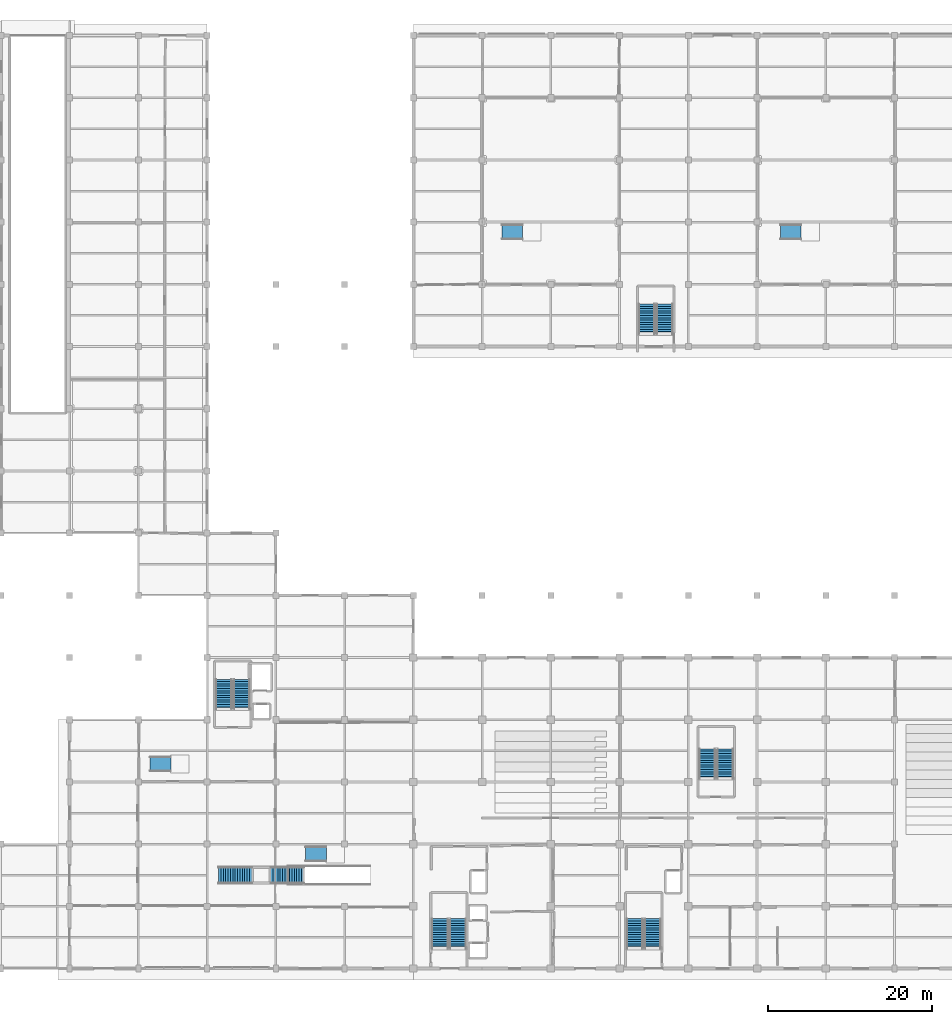
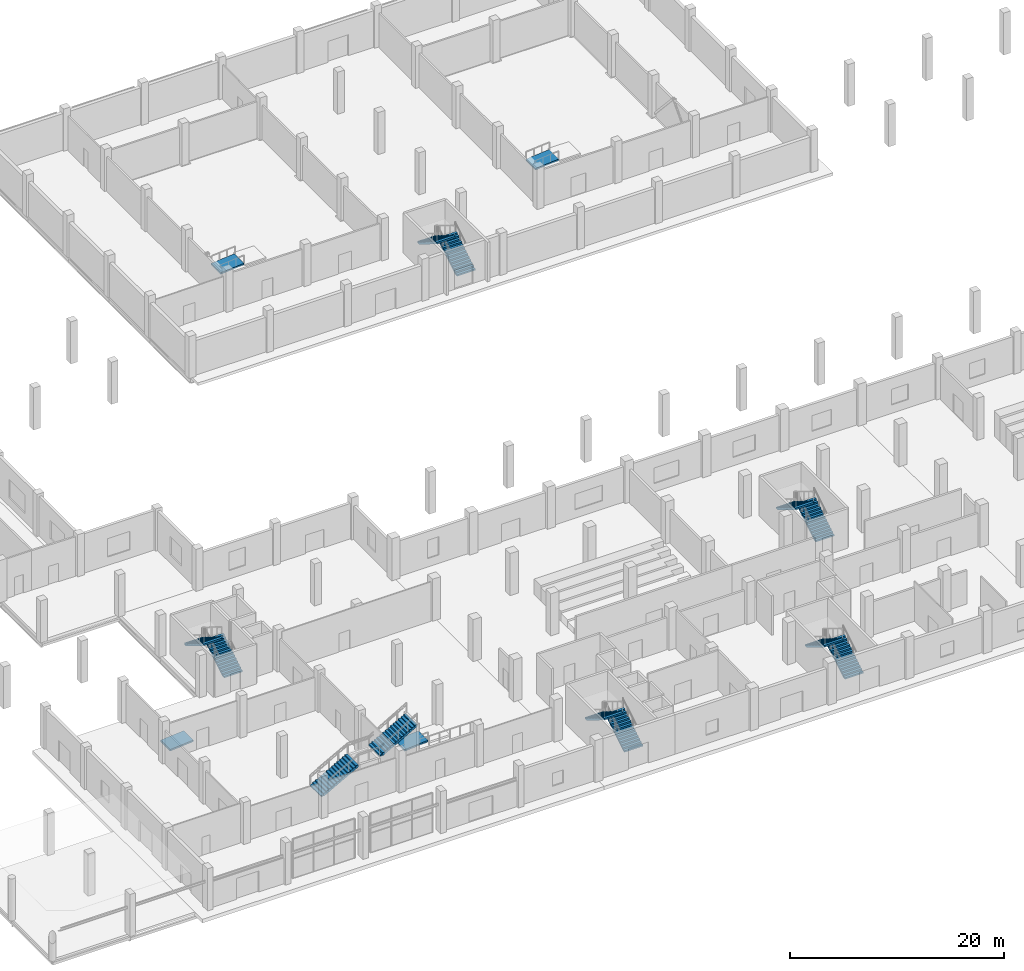
# One storey, part 25 of 36: 12 stair flights, 4 ramp flights, 10 elements without a shape of their own.
"""IFC4 building model written with IfcOpenShell, lengths in metres."""

from ifc_helpers import new_model, si_unit, direction, frame, origin, place, context, subcontext, project, spatial, polyline, outline, extrude, material, layer, layer_set, type_object, element, aggregate, save


model = new_model("IFC4")

# Units and contexts
model_context = context("Model", 3, precision=1e-05, world=origin(), true_north=direction((0.0, 1.0)))
body_context = subcontext(model_context, "Body", "Model", "MODEL_VIEW")
ifc_project = project(units=[si_unit("LENGTHUNIT", "METRE"), si_unit("AREAUNIT", "SQUARE_METRE"), si_unit("VOLUMEUNIT", "CUBIC_METRE"), si_unit("PLANEANGLEUNIT", "RADIAN"), si_unit("MASSUNIT", "GRAM", prefix="KILO")], contexts=[model_context])

# Site, building, storey
site_placement = place(None, origin())
site = spatial("IfcSite", under=ifc_project, at=site_placement, CompositionType="ELEMENT")
building_placement = place(site_placement, origin())
building = spatial("IfcBuilding", under=site, at=building_placement, Name="Zuvorla Pavilion Media Centre", CompositionType="ELEMENT")
storey_placement = place(building_placement, origin())
storey = spatial("IfcBuildingStorey", under=building, at=storey_placement, Name="L00", CompositionType="ELEMENT", Elevation=0.0)

# Stair, stair flights
ifc_material_1 = material(Name="Concrete C40/50", Category="concrete")
stair_type_1 = type_object("IfcStairType", Name="STR-DOG-480", PredefinedType="TWO_STRAIGHT_RUN_STAIR", material=ifc_material_1)
stair_1_placement = place(storey_placement, origin())
stair_1 = element("IfcStair", 1, at=stair_1_placement, inside=storey, type_object=stair_type_1, Name="L00 exit stair ST-01", PredefinedType="TWO_STRAIGHT_RUN_STAIR")
stair_flight_type_1 = type_object("IfcStairFlightType", Name="FLT-DOG-480", PredefinedType="STRAIGHT", material=ifc_material_1)
stair_flight_1_placement = place(storey_placement, frame((72.25, 8.449951171875, 0.0), z_axis=(0.0, 0.0, 1.0), x_axis=(0.0, 1.0, 0.0)))
stair_flight_1 = element("IfcStairFlight", 2, at=stair_flight_1_placement, type_object=stair_flight_type_1, Name="ST-01 flight 1", NumberOfRisers=14, NumberOfTreads=13, PredefinedType="STRAIGHT", RiserHeight=0.171428571, TreadLength=0.28, context=body_context, shape_type="SweptSolid", body=[
    extrude(outline(polyline([(0.0, 0.0), (0.0, 0.17138671875), (0.280029296875, 0.17138671875), (0.280029296875, 0.3427734375), (0.56005859375, 0.3427734375), (0.56005859375, 0.514404296875), (0.840087890625, 0.514404296875), (0.840087890625, 0.685791015625), (1.1201171875, 0.685791015625), (1.1201171875, 0.857177734375), (1.39990234375, 0.857177734375), (1.39990234375, 1.028564453125), (1.679931640625, 1.028564453125), (1.679931640625, 1.199951171875), (1.9599609375, 1.199951171875), (1.9599609375, 1.371337890625), (2.239990234375, 1.371337890625), (2.239990234375, 1.54296875), (2.52001953125, 1.54296875), (2.52001953125, 1.71435546875), (2.800048828125, 1.71435546875), (2.800048828125, 1.8857421875), (3.080078125, 1.8857421875), (3.080078125, 2.05712890625), (3.360107421875, 2.05712890625), (3.360107421875, 2.228515625), (3.639892578125, 2.228515625), (3.639892578125, 2.39990234375), (3.639892578125, 2.041015625), (0.30615234375, 0.0), (0.0, 0.0)])), frame((0.0, 1.0, 0.0), z_axis=(0.0, -1.0, 0.0), x_axis=(1.0, 0.0, 0.0)), (0.0, 0.0, 1.0), 2.0),
])
stair_flight_2_placement = place(storey_placement, frame((70.050048828125, 12.090087890625, 2.39990234375), z_axis=(0.0, 0.0, 1.0), x_axis=(0.0, -1.0, 0.0)))
stair_flight_2 = element("IfcStairFlight", 3, at=stair_flight_2_placement, type_object=stair_flight_type_1, Name="ST-01 flight 2", NumberOfRisers=14, NumberOfTreads=13, PredefinedType="STRAIGHT", RiserHeight=0.171428571, TreadLength=0.28, context=body_context, shape_type="SweptSolid", body=[
    extrude(outline(polyline([(0.0, 0.0), (0.0, 0.17138671875), (0.280029296875, 0.17138671875), (0.280029296875, 0.3427734375), (0.56005859375, 0.3427734375), (0.56005859375, 0.514404296875), (0.840087890625, 0.514404296875), (0.840087890625, 0.685791015625), (1.1201171875, 0.685791015625), (1.1201171875, 0.857177734375), (1.39990234375, 0.857177734375), (1.39990234375, 1.028564453125), (1.679931640625, 1.028564453125), (1.679931640625, 1.199951171875), (1.9599609375, 1.199951171875), (1.9599609375, 1.371337890625), (2.239990234375, 1.371337890625), (2.239990234375, 1.54296875), (2.52001953125, 1.54296875), (2.52001953125, 1.71435546875), (2.800048828125, 1.71435546875), (2.800048828125, 1.8857421875), (3.080078125, 1.8857421875), (3.080078125, 2.05712890625), (3.360107421875, 2.05712890625), (3.360107421875, 2.228515625), (3.639892578125, 2.228515625), (3.639892578125, 2.39990234375), (3.639892578125, 2.041015625), (0.30615234375, 0.0), (0.0, 0.0)])), frame((0.0, 1.0, 0.0), z_axis=(0.0, -1.0, 0.0), x_axis=(1.0, 0.0, 0.0)), (0.0, 0.0, 1.0), 2.0),
])
aggregate(stair_1, [stair_flight_1, stair_flight_2])

stair_2_placement = place(storey_placement, origin())
stair_2 = element("IfcStair", 4, at=stair_2_placement, inside=storey, type_object=stair_type_1, Name="L00 exit stair ST-02", PredefinedType="TWO_STRAIGHT_RUN_STAIR")
stair_flight_3_placement = place(storey_placement, frame((96.050048828125, 8.449951171875, 0.0), z_axis=(0.0, 0.0, 1.0), x_axis=(0.0, 1.0, 0.0)))
stair_flight_3 = element("IfcStairFlight", 5, at=stair_flight_3_placement, type_object=stair_flight_type_1, Name="ST-02 flight 1", NumberOfRisers=14, NumberOfTreads=13, PredefinedType="STRAIGHT", RiserHeight=0.171428571, TreadLength=0.28, context=body_context, shape_type="SweptSolid", body=[
    extrude(outline(polyline([(0.0, 0.0), (0.0, 0.17138671875), (0.280029296875, 0.17138671875), (0.280029296875, 0.3427734375), (0.56005859375, 0.3427734375), (0.56005859375, 0.514404296875), (0.840087890625, 0.514404296875), (0.840087890625, 0.685791015625), (1.1201171875, 0.685791015625), (1.1201171875, 0.857177734375), (1.39990234375, 0.857177734375), (1.39990234375, 1.028564453125), (1.679931640625, 1.028564453125), (1.679931640625, 1.199951171875), (1.9599609375, 1.199951171875), (1.9599609375, 1.371337890625), (2.239990234375, 1.371337890625), (2.239990234375, 1.54296875), (2.52001953125, 1.54296875), (2.52001953125, 1.71435546875), (2.800048828125, 1.71435546875), (2.800048828125, 1.8857421875), (3.080078125, 1.8857421875), (3.080078125, 2.05712890625), (3.360107421875, 2.05712890625), (3.360107421875, 2.228515625), (3.639892578125, 2.228515625), (3.639892578125, 2.39990234375), (3.639892578125, 2.041015625), (0.30615234375, 0.0), (0.0, 0.0)])), frame((0.0, 1.0, 0.0), z_axis=(0.0, -1.0, 0.0), x_axis=(1.0, 0.0, 0.0)), (0.0, 0.0, 1.0), 2.0),
])
stair_flight_4_placement = place(storey_placement, frame((93.85009765625, 12.090087890625, 2.39990234375), z_axis=(0.0, 0.0, 1.0), x_axis=(0.0, -1.0, 0.0)))
stair_flight_4 = element("IfcStairFlight", 6, at=stair_flight_4_placement, type_object=stair_flight_type_1, Name="ST-02 flight 2", NumberOfRisers=14, NumberOfTreads=13, PredefinedType="STRAIGHT", RiserHeight=0.171428571, TreadLength=0.28, context=body_context, shape_type="SweptSolid", body=[
    extrude(outline(polyline([(0.0, 0.0), (0.0, 0.17138671875), (0.280029296875, 0.17138671875), (0.280029296875, 0.3427734375), (0.56005859375, 0.3427734375), (0.56005859375, 0.514404296875), (0.840087890625, 0.514404296875), (0.840087890625, 0.685791015625), (1.1201171875, 0.685791015625), (1.1201171875, 0.857177734375), (1.39990234375, 0.857177734375), (1.39990234375, 1.028564453125), (1.679931640625, 1.028564453125), (1.679931640625, 1.199951171875), (1.9599609375, 1.199951171875), (1.9599609375, 1.371337890625), (2.239990234375, 1.371337890625), (2.239990234375, 1.54296875), (2.52001953125, 1.54296875), (2.52001953125, 1.71435546875), (2.800048828125, 1.71435546875), (2.800048828125, 1.8857421875), (3.080078125, 1.8857421875), (3.080078125, 2.05712890625), (3.360107421875, 2.05712890625), (3.360107421875, 2.228515625), (3.639892578125, 2.228515625), (3.639892578125, 2.39990234375), (3.639892578125, 2.041015625), (0.30615234375, 0.0), (0.0, 0.0)])), frame((0.0, 1.0, 0.0), z_axis=(0.0, -1.0, 0.0), x_axis=(1.0, 0.0, 0.0)), (0.0, 0.0, 1.0), 2.0),
])
aggregate(stair_2, [stair_flight_3, stair_flight_4])

stair_3_placement = place(storey_placement, origin())
stair_3 = element("IfcStair", 7, at=stair_3_placement, inside=storey, type_object=stair_type_1, Name="L00 exit stair ST-03", PredefinedType="TWO_STRAIGHT_RUN_STAIR")
stair_flight_5_placement = place(storey_placement, frame((45.85009765625, 37.699951171875, 0.0), z_axis=(0.0, 0.0, 1.0), x_axis=(0.0, 1.0, 0.0)))
stair_flight_5 = element("IfcStairFlight", 8, at=stair_flight_5_placement, type_object=stair_flight_type_1, Name="ST-03 flight 1", NumberOfRisers=14, NumberOfTreads=13, PredefinedType="STRAIGHT", RiserHeight=0.171428571, TreadLength=0.28, context=body_context, shape_type="SweptSolid", body=[
    extrude(outline(polyline([(0.0, 0.0), (0.0, 0.17138671875), (0.280029296875, 0.17138671875), (0.280029296875, 0.3427734375), (0.56005859375, 0.3427734375), (0.56005859375, 0.514404296875), (0.840087890625, 0.514404296875), (0.840087890625, 0.685791015625), (1.1201171875, 0.685791015625), (1.1201171875, 0.857177734375), (1.39990234375, 0.857177734375), (1.39990234375, 1.028564453125), (1.679931640625, 1.028564453125), (1.679931640625, 1.199951171875), (1.9599609375, 1.199951171875), (1.9599609375, 1.371337890625), (2.239990234375, 1.371337890625), (2.239990234375, 1.54296875), (2.52001953125, 1.54296875), (2.52001953125, 1.71435546875), (2.800048828125, 1.71435546875), (2.800048828125, 1.8857421875), (3.080078125, 1.8857421875), (3.080078125, 2.05712890625), (3.360107421875, 2.05712890625), (3.360107421875, 2.228515625), (3.639892578125, 2.228515625), (3.639892578125, 2.39990234375), (3.639892578125, 2.041015625), (0.30615234375, 0.0), (0.0, 0.0)])), frame((0.0, 1.0, 0.0), z_axis=(0.0, -1.0, 0.0), x_axis=(1.0, 0.0, 0.0)), (0.0, 0.0, 1.0), 2.0),
])
stair_flight_6_placement = place(storey_placement, frame((43.64990234375, 41.340087890625, 2.39990234375), z_axis=(0.0, 0.0, 1.0), x_axis=(0.0, -1.0, 0.0)))
stair_flight_6 = element("IfcStairFlight", 9, at=stair_flight_6_placement, type_object=stair_flight_type_1, Name="ST-03 flight 2", NumberOfRisers=14, NumberOfTreads=13, PredefinedType="STRAIGHT", RiserHeight=0.171428571, TreadLength=0.28, context=body_context, shape_type="SweptSolid", body=[
    extrude(outline(polyline([(0.0, 0.0), (0.0, 0.17138671875), (0.280029296875, 0.17138671875), (0.280029296875, 0.3427734375), (0.56005859375, 0.3427734375), (0.56005859375, 0.514404296875), (0.840087890625, 0.514404296875), (0.840087890625, 0.685791015625), (1.1201171875, 0.685791015625), (1.1201171875, 0.857177734375), (1.39990234375, 0.857177734375), (1.39990234375, 1.028564453125), (1.679931640625, 1.028564453125), (1.679931640625, 1.199951171875), (1.9599609375, 1.199951171875), (1.9599609375, 1.371337890625), (2.239990234375, 1.371337890625), (2.239990234375, 1.54296875), (2.52001953125, 1.54296875), (2.52001953125, 1.71435546875), (2.800048828125, 1.71435546875), (2.800048828125, 1.8857421875), (3.080078125, 1.8857421875), (3.080078125, 2.05712890625), (3.360107421875, 2.05712890625), (3.360107421875, 2.228515625), (3.639892578125, 2.228515625), (3.639892578125, 2.39990234375), (3.639892578125, 2.041015625), (0.30615234375, 0.0), (0.0, 0.0)])), frame((0.0, 1.0, 0.0), z_axis=(0.0, -1.0, 0.0), x_axis=(1.0, 0.0, 0.0)), (0.0, 0.0, 1.0), 2.0),
])
aggregate(stair_3, [stair_flight_5, stair_flight_6])

stair_4_placement = place(storey_placement, origin())
stair_4 = element("IfcStair", 10, at=stair_4_placement, inside=storey, type_object=stair_type_1, Name="L00 exit stair ST-04", PredefinedType="TWO_STRAIGHT_RUN_STAIR")
stair_flight_7_placement = place(storey_placement, frame((104.89990234375, 29.199951171875, 0.0), z_axis=(0.0, 0.0, 1.0), x_axis=(0.0, 1.0, 0.0)))
stair_flight_7 = element("IfcStairFlight", 11, at=stair_flight_7_placement, type_object=stair_flight_type_1, Name="ST-04 flight 1", NumberOfRisers=14, NumberOfTreads=13, PredefinedType="STRAIGHT", RiserHeight=0.171428571, TreadLength=0.28, context=body_context, shape_type="SweptSolid", body=[
    extrude(outline(polyline([(0.0, 0.0), (0.0, 0.17138671875), (0.280029296875, 0.17138671875), (0.280029296875, 0.3427734375), (0.56005859375, 0.3427734375), (0.56005859375, 0.514404296875), (0.840087890625, 0.514404296875), (0.840087890625, 0.685791015625), (1.1201171875, 0.685791015625), (1.1201171875, 0.857177734375), (1.39990234375, 0.857177734375), (1.39990234375, 1.028564453125), (1.679931640625, 1.028564453125), (1.679931640625, 1.199951171875), (1.9599609375, 1.199951171875), (1.9599609375, 1.371337890625), (2.239990234375, 1.371337890625), (2.239990234375, 1.54296875), (2.52001953125, 1.54296875), (2.52001953125, 1.71435546875), (2.800048828125, 1.71435546875), (2.800048828125, 1.8857421875), (3.080078125, 1.8857421875), (3.080078125, 2.05712890625), (3.360107421875, 2.05712890625), (3.360107421875, 2.228515625), (3.639892578125, 2.228515625), (3.639892578125, 2.39990234375), (3.639892578125, 2.041015625), (0.30615234375, 0.0), (0.0, 0.0)])), frame((0.0, 1.0, 0.0), z_axis=(0.0, -1.0, 0.0), x_axis=(1.0, 0.0, 0.0)), (0.0, 0.0, 1.0), 2.0),
])
stair_flight_8_placement = place(storey_placement, frame((102.699951171875, 32.840087890625, 2.39990234375), z_axis=(0.0, 0.0, 1.0), x_axis=(0.0, -1.0, 0.0)))
stair_flight_8 = element("IfcStairFlight", 12, at=stair_flight_8_placement, type_object=stair_flight_type_1, Name="ST-04 flight 2", NumberOfRisers=14, NumberOfTreads=13, PredefinedType="STRAIGHT", RiserHeight=0.171428571, TreadLength=0.28, context=body_context, shape_type="SweptSolid", body=[
    extrude(outline(polyline([(0.0, 0.0), (0.0, 0.17138671875), (0.280029296875, 0.17138671875), (0.280029296875, 0.3427734375), (0.56005859375, 0.3427734375), (0.56005859375, 0.514404296875), (0.840087890625, 0.514404296875), (0.840087890625, 0.685791015625), (1.1201171875, 0.685791015625), (1.1201171875, 0.857177734375), (1.39990234375, 0.857177734375), (1.39990234375, 1.028564453125), (1.679931640625, 1.028564453125), (1.679931640625, 1.199951171875), (1.9599609375, 1.199951171875), (1.9599609375, 1.371337890625), (2.239990234375, 1.371337890625), (2.239990234375, 1.54296875), (2.52001953125, 1.54296875), (2.52001953125, 1.71435546875), (2.800048828125, 1.71435546875), (2.800048828125, 1.8857421875), (3.080078125, 1.8857421875), (3.080078125, 2.05712890625), (3.360107421875, 2.05712890625), (3.360107421875, 2.228515625), (3.639892578125, 2.228515625), (3.639892578125, 2.39990234375), (3.639892578125, 2.041015625), (0.30615234375, 0.0), (0.0, 0.0)])), frame((0.0, 1.0, 0.0), z_axis=(0.0, -1.0, 0.0), x_axis=(1.0, 0.0, 0.0)), (0.0, 0.0, 1.0), 2.0),
])
aggregate(stair_4, [stair_flight_7, stair_flight_8])

stair_5_placement = place(storey_placement, origin())
stair_5 = element("IfcStair", 13, at=stair_5_placement, inside=storey, type_object=stair_type_1, Name="L00 exit stair ST-05", PredefinedType="TWO_STRAIGHT_RUN_STAIR")
stair_flight_9_placement = place(storey_placement, frame((97.5, 83.550048828125, 0.0), z_axis=(0.0, 0.0, 1.0), x_axis=(0.0, 1.0, 0.0)))
stair_flight_9 = element("IfcStairFlight", 14, at=stair_flight_9_placement, type_object=stair_flight_type_1, Name="ST-05 flight 1", NumberOfRisers=14, NumberOfTreads=13, PredefinedType="STRAIGHT", RiserHeight=0.171428571, TreadLength=0.28, context=body_context, shape_type="SweptSolid", body=[
    extrude(outline(polyline([(0.0, 0.0), (0.0, 0.17138671875), (0.280029296875, 0.17138671875), (0.280029296875, 0.3427734375), (0.56005859375, 0.3427734375), (0.56005859375, 0.514404296875), (0.840087890625, 0.514404296875), (0.840087890625, 0.685791015625), (1.1201171875, 0.685791015625), (1.1201171875, 0.857177734375), (1.39990234375, 0.857177734375), (1.39990234375, 1.028564453125), (1.679931640625, 1.028564453125), (1.679931640625, 1.199951171875), (1.9599609375, 1.199951171875), (1.9599609375, 1.371337890625), (2.239990234375, 1.371337890625), (2.239990234375, 1.54296875), (2.52001953125, 1.54296875), (2.52001953125, 1.71435546875), (2.800048828125, 1.71435546875), (2.800048828125, 1.8857421875), (3.080078125, 1.8857421875), (3.080078125, 2.05712890625), (3.360107421875, 2.05712890625), (3.360107421875, 2.228515625), (3.639892578125, 2.228515625), (3.639892578125, 2.39990234375), (3.639892578125, 2.041015625), (0.30615234375, 0.0), (0.0, 0.0)])), frame((0.0, 1.0, 0.0), z_axis=(0.0, -1.0, 0.0), x_axis=(1.0, 0.0, 0.0)), (0.0, 0.0, 1.0), 2.0),
])
stair_flight_10_placement = place(storey_placement, frame((95.300048828125, 87.18994140625, 2.39990234375), z_axis=(0.0, 0.0, 1.0), x_axis=(0.0, -1.0, 0.0)))
stair_flight_10 = element("IfcStairFlight", 15, at=stair_flight_10_placement, type_object=stair_flight_type_1, Name="ST-05 flight 2", NumberOfRisers=14, NumberOfTreads=13, PredefinedType="STRAIGHT", RiserHeight=0.171428571, TreadLength=0.28, context=body_context, shape_type="SweptSolid", body=[
    extrude(outline(polyline([(0.0, 0.0), (0.0, 0.17138671875), (0.280029296875, 0.17138671875), (0.280029296875, 0.3427734375), (0.56005859375, 0.3427734375), (0.56005859375, 0.514404296875), (0.840087890625, 0.514404296875), (0.840087890625, 0.685791015625), (1.1201171875, 0.685791015625), (1.1201171875, 0.857177734375), (1.39990234375, 0.857177734375), (1.39990234375, 1.028564453125), (1.679931640625, 1.028564453125), (1.679931640625, 1.199951171875), (1.9599609375, 1.199951171875), (1.9599609375, 1.371337890625), (2.239990234375, 1.371337890625), (2.239990234375, 1.54296875), (2.52001953125, 1.54296875), (2.52001953125, 1.71435546875), (2.800048828125, 1.71435546875), (2.800048828125, 1.8857421875), (3.080078125, 1.8857421875), (3.080078125, 2.05712890625), (3.360107421875, 2.05712890625), (3.360107421875, 2.228515625), (3.639892578125, 2.228515625), (3.639892578125, 2.39990234375), (3.639892578125, 2.041015625), (0.30615234375, 0.0), (0.0, 0.0)])), frame((0.0, 1.0, 0.0), z_axis=(0.0, -1.0, 0.0), x_axis=(1.0, 0.0, 0.0)), (0.0, 0.0, 1.0), 2.0),
])
aggregate(stair_5, [stair_flight_9, stair_flight_10])

ifc_material_2 = material(Name="Precast concrete C40/50", Category="concrete")
stair_type_2 = type_object("IfcStairType", Name="STR-FEA-07", PredefinedType="STRAIGHT_RUN_STAIR", material=ifc_material_2)
stair_6_placement = place(storey_placement, origin())
stair_6 = element("IfcStair", 16, at=stair_6_placement, inside=storey, type_object=stair_type_2, Name="L00 feature stair ST-07", PredefinedType="STRAIGHT_RUN_STAIR")
stair_flight_type_2 = type_object("IfcStairFlightType", Name="FLT-FEA-07", PredefinedType="STRAIGHT", material=ifc_material_2)
stair_flight_11_placement = place(storey_placement, frame((43.0, 17.39990234375, 0.0), z_axis=(0.0, 0.0, 1.0), x_axis=(1.0, 0.0, 0.0)))
stair_flight_11 = element("IfcStairFlight", 17, at=stair_flight_11_placement, type_object=stair_flight_type_2, Name="ST-07 flight 1", NumberOfRisers=15, NumberOfTreads=14, PredefinedType="STRAIGHT", RiserHeight=0.16, TreadLength=0.29, context=body_context, shape_type="SweptSolid", body=[
    extrude(outline(polyline([(0.0, 0.0), (0.0, 0.159912109375), (0.2900390625, 0.159912109375), (0.2900390625, 0.320068359375), (0.580078125, 0.320068359375), (0.580078125, 0.47998046875), (0.8701171875, 0.47998046875), (0.8701171875, 0.639892578125), (1.159912109375, 0.639892578125), (1.159912109375, 0.800048828125), (1.449951171875, 0.800048828125), (1.449951171875, 0.9599609375), (1.739990234375, 0.9599609375), (1.739990234375, 1.1201171875), (2.030029296875, 1.1201171875), (2.030029296875, 1.280029296875), (2.320068359375, 1.280029296875), (2.320068359375, 1.43994140625), (2.610107421875, 1.43994140625), (2.610107421875, 1.60009765625), (2.89990234375, 1.60009765625), (2.89990234375, 1.760009765625), (3.18994140625, 1.760009765625), (3.18994140625, 1.919921875), (3.47998046875, 1.919921875), (3.47998046875, 2.080078125), (3.77001953125, 2.080078125), (3.77001953125, 2.239990234375), (4.06005859375, 2.239990234375), (4.06005859375, 2.39990234375), (4.06005859375, 2.034423828125), (0.37255859375, 0.0), (0.0, 0.0)])), frame((0.0, 1.050048828125, 0.0), z_axis=(0.0, -1.0, 0.0), x_axis=(1.0, 0.0, 0.0)), (0.0, 0.0, 1.0), 2.10009765625),
])
stair_flight_12_placement = place(storey_placement, frame((49.360107421875, 17.39990234375, 2.39990234375), z_axis=(0.0, 0.0, 1.0), x_axis=(1.0, 0.0, 0.0)))
stair_flight_12 = element("IfcStairFlight", 18, at=stair_flight_12_placement, type_object=stair_flight_type_2, Name="ST-07 flight 2", NumberOfRisers=15, NumberOfTreads=14, PredefinedType="STRAIGHT", RiserHeight=0.16, TreadLength=0.29, context=body_context, shape_type="SweptSolid", body=[
    extrude(outline(polyline([(0.0, 0.0), (0.0, 0.159912109375), (0.2900390625, 0.159912109375), (0.2900390625, 0.320068359375), (0.580078125, 0.320068359375), (0.580078125, 0.47998046875), (0.8701171875, 0.47998046875), (0.8701171875, 0.639892578125), (1.159912109375, 0.639892578125), (1.159912109375, 0.800048828125), (1.449951171875, 0.800048828125), (1.449951171875, 0.9599609375), (1.739990234375, 0.9599609375), (1.739990234375, 1.1201171875), (2.030029296875, 1.1201171875), (2.030029296875, 1.280029296875), (2.320068359375, 1.280029296875), (2.320068359375, 1.43994140625), (2.610107421875, 1.43994140625), (2.610107421875, 1.60009765625), (2.89990234375, 1.60009765625), (2.89990234375, 1.760009765625), (3.18994140625, 1.760009765625), (3.18994140625, 1.919921875), (3.47998046875, 1.919921875), (3.47998046875, 2.080078125), (3.77001953125, 2.080078125), (3.77001953125, 2.239990234375), (4.06005859375, 2.239990234375), (4.06005859375, 2.39990234375), (4.06005859375, 2.034423828125), (0.37255859375, 0.0), (0.0, 0.0)])), frame((0.0, 1.050048828125, 0.0), z_axis=(0.0, -1.0, 0.0), x_axis=(1.0, 0.0, 0.0)), (0.0, 0.0, 1.0), 2.10009765625),
])
aggregate(stair_6, [stair_flight_11, stair_flight_12])

# Ramp, ramp flight
ramp_type = type_object("IfcRampType", Name="RMP-PED-ACC", PredefinedType="STRAIGHT_RUN_RAMP", material=ifc_material_2)
ramp_1_placement = place(storey_placement, origin())
ramp_1 = element("IfcRamp", 19, at=ramp_1_placement, inside=storey, type_object=ramp_type, Name="Accessible stage ramp RMP-ACC-01", PredefinedType="STRAIGHT_RUN_RAMP")
ifc_layer = layer(ifc_material_2, 0.199951171875)
ifc_layer_set = layer_set([ifc_layer], Name="Precast concrete C40/50")
ramp_flight_type = type_object("IfcRampFlightType", Name="RMF-PED-180", PredefinedType="STRAIGHT", material=ifc_layer_set)
ramp_flight_1_placement = place(storey_placement, frame((34.639892578125, 31.0, 0.0), z_axis=(0.0, 0.0, 1.0), x_axis=(1.0, 0.0, 0.0)))
ramp_flight_1 = element("IfcRampFlight", 20, at=ramp_flight_1_placement, type_object=ramp_flight_type, Name="Accessible ramp flight RMP-ACC-01", PredefinedType="STRAIGHT", context=body_context, shape_type="SweptSolid", body=[
    extrude(outline(polyline([(0.0, 0.0), (2.52001953125, 0.2099609375), (2.52001953125, 0.030029296875), (0.0, -0.179931640625), (0.0, 0.0)])), frame((0.0, 0.89990234375, 0.0), z_axis=(0.0, -1.0, 0.0), x_axis=(1.0, 0.0, 0.0)), (0.0, 0.0, 1.0), 1.800048828125),
])
aggregate(ramp_1, [ramp_flight_1])

ramp_2_placement = place(storey_placement, origin())
ramp_2 = element("IfcRamp", 21, at=ramp_2_placement, inside=storey, type_object=ramp_type, Name="Accessible stage ramp RMP-ACC-02", PredefinedType="STRAIGHT_RUN_RAMP")
ramp_flight_2_placement = place(storey_placement, frame((53.639892578125, 20.0, 0.0), z_axis=(0.0, 0.0, 1.0), x_axis=(1.0, 0.0, 0.0)))
ramp_flight_2 = element("IfcRampFlight", 22, at=ramp_flight_2_placement, type_object=ramp_flight_type, Name="Accessible ramp flight RMP-ACC-02", PredefinedType="STRAIGHT", context=body_context, shape_type="SweptSolid", body=[
    extrude(outline(polyline([(0.0, 0.0), (2.52001953125, 0.2099609375), (2.52001953125, 0.030029296875), (0.0, -0.179931640625), (0.0, 0.0)])), frame((0.0, 0.89990234375, 0.0), z_axis=(0.0, -1.0, 0.0), x_axis=(1.0, 0.0, 0.0)), (0.0, 0.0, 1.0), 1.800048828125),
])
aggregate(ramp_2, [ramp_flight_2])

ramp_3_placement = place(storey_placement, origin())
ramp_3 = element("IfcRamp", 23, at=ramp_3_placement, inside=storey, type_object=ramp_type, Name="Accessible stage ramp RMP-ACC-03", PredefinedType="STRAIGHT_RUN_RAMP")
ramp_flight_3_placement = place(storey_placement, frame((77.639892578125, 96.0, 0.0), z_axis=(0.0, 0.0, 1.0), x_axis=(1.0, 0.0, 0.0)))
ramp_flight_3 = element("IfcRampFlight", 24, at=ramp_flight_3_placement, type_object=ramp_flight_type, Name="Accessible ramp flight RMP-ACC-03", PredefinedType="STRAIGHT", context=body_context, shape_type="SweptSolid", body=[
    extrude(outline(polyline([(0.0, 0.0), (2.52001953125, 0.2099609375), (2.52001953125, 0.030029296875), (0.0, -0.179931640625), (0.0, 0.0)])), frame((0.0, 0.89990234375, 0.0), z_axis=(0.0, -1.0, 0.0), x_axis=(1.0, 0.0, 0.0)), (0.0, 0.0, 1.0), 1.800048828125),
])
aggregate(ramp_3, [ramp_flight_3])

ramp_4_placement = place(storey_placement, origin())
ramp_4 = element("IfcRamp", 25, at=ramp_4_placement, inside=storey, type_object=ramp_type, Name="Accessible stage ramp RMP-ACC-04", PredefinedType="STRAIGHT_RUN_RAMP")
ramp_flight_4_placement = place(storey_placement, frame((111.639892578125, 96.0, 0.0), z_axis=(0.0, 0.0, 1.0), x_axis=(1.0, 0.0, 0.0)))
ramp_flight_4 = element("IfcRampFlight", 26, at=ramp_flight_4_placement, type_object=ramp_flight_type, Name="Accessible ramp flight RMP-ACC-04", PredefinedType="STRAIGHT", context=body_context, shape_type="SweptSolid", body=[
    extrude(outline(polyline([(0.0, 0.0), (2.52001953125, 0.2099609375), (2.52001953125, 0.030029296875), (0.0, -0.179931640625), (0.0, 0.0)])), frame((0.0, 0.89990234375, 0.0), z_axis=(0.0, -1.0, 0.0), x_axis=(1.0, 0.0, 0.0)), (0.0, 0.0, 1.0), 1.800048828125),
])
aggregate(ramp_4, [ramp_flight_4])

save(model, "model.ifc")
